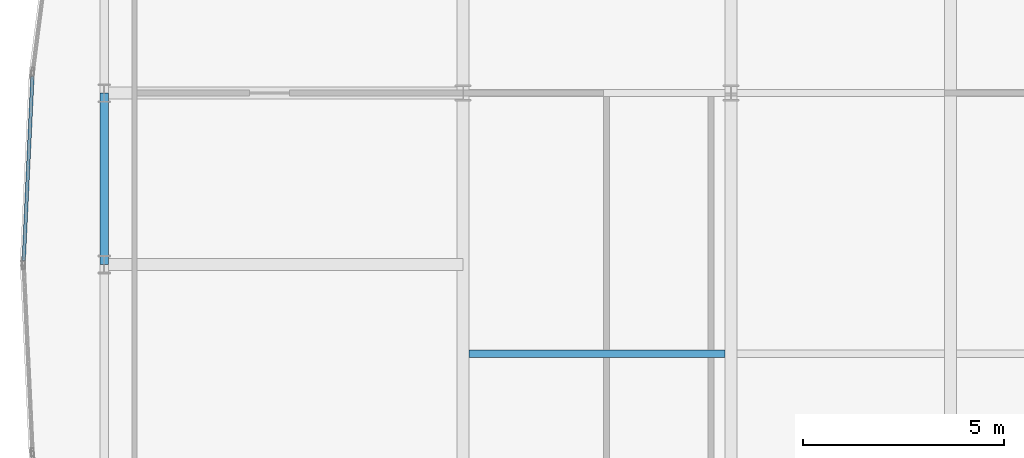
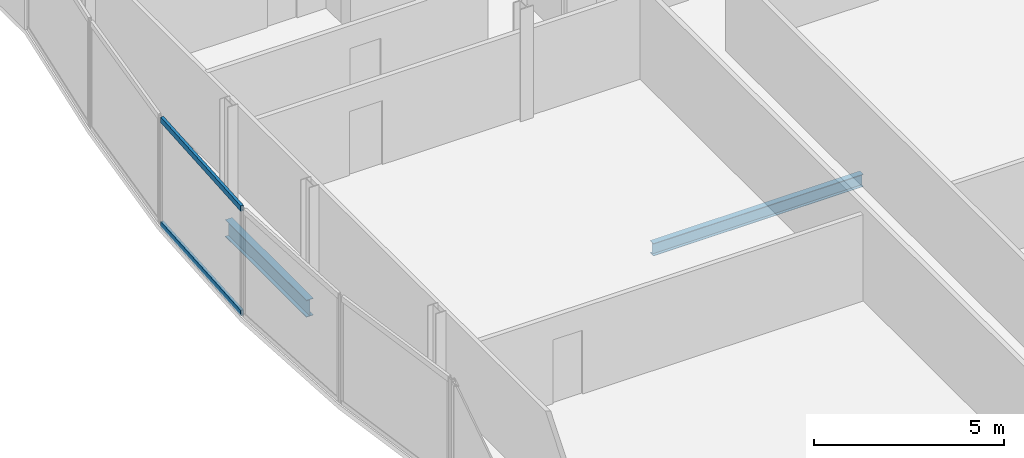
# One storey, part 11 of 30: 2 beams, 2 members, 1 element without a shape of its own.
"""IFC4 building model written with IfcOpenShell, lengths in metres."""

from ifc_helpers import new_model, si_unit, direction, frame, origin, origin_2d, place, context, subcontext, project, spatial, hollow_rectangle, i_section, extrude, material, material_profile, profile_set, type_object, element, aggregate, save


model = new_model("IFC4")

# Units and contexts
model_context = context("Model", 3, precision=1e-05, world=origin(), true_north=direction((0.0, 1.0)))
body_context = subcontext(model_context, "Body", "Model", "MODEL_VIEW")
ifc_project = project(units=[si_unit("LENGTHUNIT", "METRE"), si_unit("AREAUNIT", "SQUARE_METRE"), si_unit("VOLUMEUNIT", "CUBIC_METRE"), si_unit("PLANEANGLEUNIT", "RADIAN"), si_unit("MASSUNIT", "GRAM", prefix="KILO")], contexts=[model_context])

# Site, building, storey
site_placement = place(None, origin())
site = spatial("IfcSite", under=ifc_project, at=site_placement, CompositionType="ELEMENT")
building_placement = place(site_placement, origin())
building = spatial("IfcBuilding", under=site, at=building_placement, Name="Khoronbel Lancet Exchange", CompositionType="ELEMENT")
storey_placement = place(building_placement, frame((0.0, 0.0, 277.0)))
storey = spatial("IfcBuildingStorey", under=building, at=storey_placement, Name="L71", CompositionType="ELEMENT", Elevation=277.0)

# Beams
ifc_material_1 = material(Name="Steel S355", Category="steel")
ifc_material_profile_1 = material_profile(ifc_material_1, i_section(OverallWidth=0.179931640625, OverallDepth=0.39990234375, WebThickness=0.008544921875, FlangeThickness=0.013427734375, at=origin_2d()), Name="IPE 400")
ifc_profile_set_1 = profile_set([ifc_material_profile_1], Name="Steel S355")
beam_type_1 = type_object("IfcBeamType", Name="BM-BJ5", PredefinedType="JOIST", material=ifc_profile_set_1)
beam_1_placement = place(storey_placement, frame((18.375, 29.199951171875, -0.360107421875), z_axis=(1.0, 0.0, 0.0), x_axis=(0.0, 1.0, 0.0)))
element("IfcBeam", 1, at=beam_1_placement, inside=storey, type_object=beam_type_1, Name="Level L71 secondary composite joist J11", PredefinedType="JOIST", context=body_context, shape_type="SweptSolid", body=[
    extrude(i_section(OverallWidth=0.179931640625, OverallDepth=0.39990234375, WebThickness=0.008544921875, FlangeThickness=0.013427734375, at=origin_2d()), origin(), (0.0, 0.0, 1.0), 6.375),
])
ifc_material_profile_2 = material_profile(ifc_material_1, i_section(OverallWidth=0.2099609375, OverallDepth=0.550048828125, WebThickness=0.010986328125, FlangeThickness=0.01708984375, at=origin_2d()), Name="IPE 550")
ifc_profile_set_2 = profile_set([ifc_material_profile_2], Name="Steel S355")
beam_type_2 = type_object("IfcBeamType", Name="BM-BSP3", PredefinedType="SPANDREL", material=ifc_profile_set_2)
beam_2_placement = place(storey_placement, frame((9.27001953125, 35.699951171875, -0.43505859375), z_axis=(0.0, -1.0, 0.0), x_axis=(1.0, 0.0, 0.0)))
element("IfcBeam", 2, at=beam_2_placement, inside=storey, type_object=beam_type_2, Name="Level L71 perimeter spandrel beam SP18", PredefinedType="SPANDREL", context=body_context, shape_type="SweptSolid", body=[
    extrude(i_section(OverallWidth=0.2099609375, OverallDepth=0.550048828125, WebThickness=0.010986328125, FlangeThickness=0.01708984375, at=origin_2d()), origin(), (0.0, 0.0, 1.0), 4.27490234375),
])

# Curtain wall, members
ifc_material_2 = material(Name="Low-E Solar Control Insulating Glass", Category="glass")
curtain_wall_type = type_object("IfcCurtainWallType", Name="CW-4", PredefinedType="NOTDEFINED", material=ifc_material_2)
curtain_wall_placement = place(storey_placement, origin())
curtain_wall = element("IfcCurtainWall", 3, at=curtain_wall_placement, inside=storey, type_object=curtain_wall_type, Name="Unitised curtain wall CW-L71-E07", PredefinedType="NOTDEFINED")
ifc_material_3 = material(Name="Bronze-Anodised Aluminium 6063-T6", Category="aluminium")
ifc_material_profile_3 = material_profile(ifc_material_3, hollow_rectangle(XDim=0.0849609375, YDim=0.179931640625, WallThickness=0.0048828125, at=origin_2d()), Name="ALU TRANSOM 85x180")
ifc_profile_set_3 = profile_set([ifc_material_profile_3], Name="Bronze-Anodised Aluminium 6063-T6")
member_type = type_object("IfcMemberType", Name="MEM-CWT1", PredefinedType="USERDEFINED", material=ifc_profile_set_3)
member_1_placement = place(storey_placement, frame((7.267578125, 31.52490234375, 0.04248046875), z_axis=(0.047209398093, 0.99888501477, 0.0), x_axis=(-0.99888501477, 0.047209398093, 0.0)))
member_1 = element("IfcMember", 4, at=member_1_placement, type_object=member_type, Name="CW4 transom 1.1", ObjectType="TRANSOM", PredefinedType="USERDEFINED", context=body_context, shape_type="SweptSolid", body=[
    extrude(hollow_rectangle(XDim=0.0849609375, YDim=0.179931640625, WallThickness=0.0048828125, at=origin_2d()), origin(), (0.0, 0.0, 1.0), 4.597412109375),
])
member_2_placement = place(storey_placement, frame((7.267578125, 31.52490234375, 3.3974609375), z_axis=(0.047209398093, 0.99888501477, 0.0), x_axis=(-0.99888501477, 0.047209398093, 0.0)))
member_2 = element("IfcMember", 5, at=member_2_placement, type_object=member_type, Name="CW4 transom 1.2", ObjectType="TRANSOM", PredefinedType="USERDEFINED", context=body_context, shape_type="SweptSolid", body=[
    extrude(hollow_rectangle(XDim=0.0849609375, YDim=0.179931640625, WallThickness=0.0048828125, at=origin_2d()), origin(), (0.0, 0.0, 1.0), 4.597412109375),
])
aggregate(curtain_wall, [member_1, member_2])

save(model, "model.ifc")
